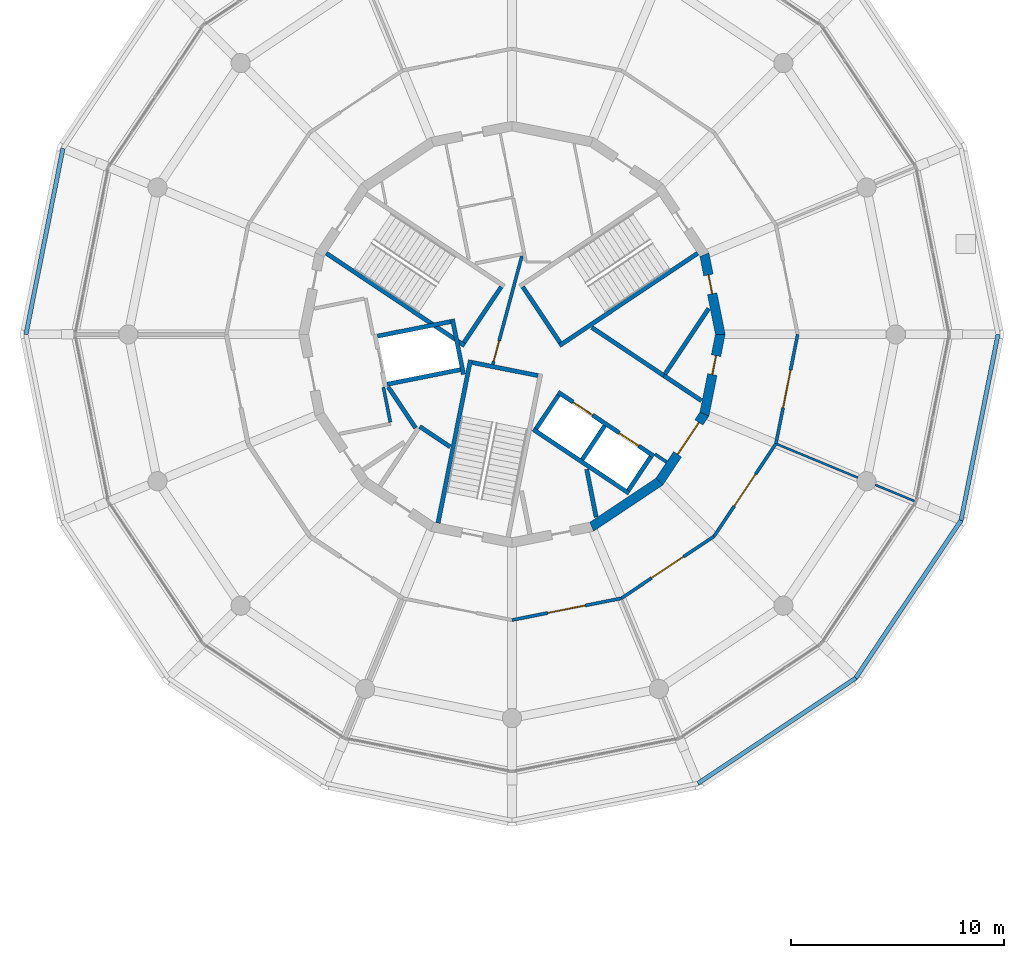
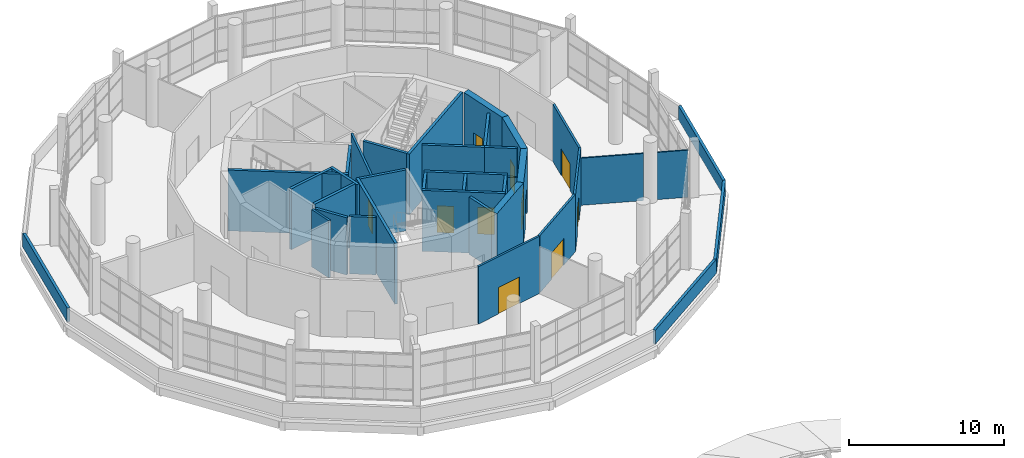
# One storey, part 17 of 21: 37 walls, 10 doors, 10 openings.
"""IFC4 building model written with IfcOpenShell, lengths in metres."""

from ifc_helpers import new_model, si_unit, direction, frame, frame_2d, origin, place, context, subcontext, project, spatial, polyline, rectangle, outline, extrude, material, layer, layer_set, type_object, element, fill, save


model = new_model("IFC4")

# Units and contexts
model_context = context("Model", 3, precision=1e-05, world=origin(), true_north=direction((0.0, 1.0)))
body_context = subcontext(model_context, "Body", "Model", "MODEL_VIEW")
ifc_project = project(units=[si_unit("LENGTHUNIT", "METRE"), si_unit("AREAUNIT", "SQUARE_METRE"), si_unit("VOLUMEUNIT", "CUBIC_METRE"), si_unit("PLANEANGLEUNIT", "RADIAN"), si_unit("MASSUNIT", "GRAM", prefix="KILO")], contexts=[model_context])

# Site, building, storey
site_placement = place(None, origin())
site = spatial("IfcSite", under=ifc_project, at=site_placement, CompositionType="ELEMENT")
building_placement = place(site_placement, origin())
building = spatial("IfcBuilding", under=site, at=building_placement, Name="Ceibo Conservatory and Research Tower", CompositionType="ELEMENT")
storey_placement = place(building_placement, frame((0.0, 0.0, 15.60009765625)))
storey = spatial("IfcBuildingStorey", under=building, at=storey_placement, Name="L03", CompositionType="ELEMENT", Elevation=15.60009765625)

# Wall, opening, door
ifc_material_1 = material(Name="Concrete C35/45", Category="concrete")
ifc_layer_1 = layer(ifc_material_1, 0.449951171875)
ifc_layer_set_1 = layer_set([ifc_layer_1], Name="Concrete C35/45")
wall_type_1 = type_object("IfcWallType", Name="Core wall 450 C35", PredefinedType="SHEAR", material=ifc_layer_set_1)
wall_1_placement = place(storey_placement, frame((57.7705078125, 120.0, 0.0), z_axis=(0.0, 0.0, 1.0), x_axis=(-0.195069197673, 0.98078948206, 0.0)))
wall_1 = element("IfcWall", 1, at=wall_1_placement, inside=storey, type_object=wall_type_1, Name="Core wall L03 01", PredefinedType="SHEAR", context=body_context, shape_type="SweptSolid", body=[
    extrude(outline(polyline([(-0.044677734375, -0.22509765625), (3.85693359375, -0.22509765625), (3.767578125, 0.22509765625), (0.044677734375, 0.22509765625), (-0.044677734375, -0.22509765625)])), origin(), (0.0, 0.0, 1.0), 4.7998046875),
])
opening_1_placement = place(wall_1_placement, frame((1.944580078125, 0.0, 0.0)))
opening_1 = element("IfcOpeningElement", 2, at=opening_1_placement, cuts=wall_1, Name="Opening C03-04", PredefinedType="OPENING", context=body_context, shape_type="SweptSolid", body=[
    extrude(rectangle(XDim=0.89990234375, YDim=2.10009765625, at=frame_2d((0.449951171875, 1.050048828125))), frame((0.0, 0.23486328125, 0.0), z_axis=(0.0, -1.0, 0.0), x_axis=(1.0, 0.0, 0.0)), (0.0, 0.0, 1.0), 0.469970703125),
])
ifc_material_2 = material(Name="Galvanised sheet steel DX51D", Category="steel")
door_type_1 = type_object("IfcDoorType", Name="Riser door 900x2100 EI 60 (right hand)", OperationType="SINGLE_SWING_RIGHT", PredefinedType="DOOR", material=ifc_material_2)
door_1_placement = place(opening_1_placement, origin())
door_1 = element("IfcDoor", 3, at=door_1_placement, inside=storey, type_object=door_type_1, Name="Store door 03", OperationType="SINGLE_SWING_RIGHT", OverallHeight=2.10009765625, OverallWidth=0.89990234375, PredefinedType="DOOR", context=body_context, shape_type="SweptSolid", body=[
    extrude(rectangle(XDim=0.89990234375, YDim=2.10009765625, at=frame_2d((0.449951171875, 1.050048828125))), frame((0.0, 0.02490234375, 0.0), z_axis=(0.0, -1.0, 0.0), x_axis=(1.0, 0.0, 0.0)), (0.0, 0.0, 1.0), 0.050048828125),
])
fill(opening_1, door_1)

# Wall
wall_2_placement = place(storey_placement, frame((51.739013671875, 110.97314453125, 0.0), z_axis=(0.0, 0.0, 1.0), x_axis=(0.83148829117, 0.555542277102, 0.0)))
element("IfcWall", 4, at=wall_2_placement, inside=storey, type_object=wall_type_1, Name="Core wall L03 14", PredefinedType="SHEAR", context=body_context, shape_type="SweptSolid", body=[
    extrude(outline(polyline([(-0.044677734375, -0.22509765625), (3.85693359375, -0.22509765625), (3.767578125, 0.22509765625), (0.044677734375, 0.22509765625), (-0.044677734375, -0.22509765625)])), origin(), (0.0, 0.0, 1.0), 4.7998046875),
])

# Wall, opening, door
wall_3_placement = place(storey_placement, frame((54.908935546875, 113.091064453125, 0.0), z_axis=(0.0, 0.0, 1.0), x_axis=(0.555542277102, 0.83148829117, 0.0)))
wall_3 = element("IfcWall", 5, at=wall_3_placement, inside=storey, type_object=wall_type_1, Name="Core wall L03 15", PredefinedType="SHEAR", context=body_context, shape_type="SweptSolid", body=[
    extrude(outline(polyline([(-0.044677734375, -0.22509765625), (3.85693359375, -0.22509765625), (3.767578125, 0.22509765625), (0.044677734375, 0.22509765625), (-0.044677734375, -0.22509765625)])), origin(), (0.0, 0.0, 1.0), 4.7998046875),
])
opening_2_placement = place(wall_3_placement, frame((1.544677734375, 0.0, 0.0)))
opening_2 = element("IfcOpeningElement", 6, at=opening_2_placement, cuts=wall_3, Name="Opening C03-13", PredefinedType="OPENING", context=body_context, shape_type="SweptSolid", body=[
    extrude(rectangle(XDim=1.800048828125, YDim=2.10009765625, at=frame_2d((0.89990234375, 1.050048828125))), frame((0.0, 0.23486328125, 0.0), z_axis=(0.0, -1.0, 0.0), x_axis=(1.0, 0.0, 0.0)), (0.0, 0.0, 1.0), 0.469970703125),
])
door_type_2 = type_object("IfcDoorType", Name="Lobby double door 1800x2100 EI 60", OperationType="DOUBLE_DOOR_SINGLE_SWING", PredefinedType="DOOR", material=ifc_material_2)
door_2_placement = place(opening_2_placement, frame((1.800048828125, 0.0, 0.0), z_axis=(0.0, 0.0, 1.0), x_axis=(-1.0, 0.0, 0.0)))
door_2 = element("IfcDoor", 7, at=door_2_placement, inside=storey, type_object=door_type_2, Name="Lift Lobby door 03", OperationType="DOUBLE_DOOR_SINGLE_SWING", OverallHeight=2.10009765625, OverallWidth=1.800048828125, PredefinedType="DOOR", context=body_context, shape_type="SweptSolid", body=[
    extrude(rectangle(XDim=1.800048828125, YDim=2.10009765625, at=frame_2d((0.89990234375, 1.050048828125))), frame((0.0, 0.02490234375, 0.0), z_axis=(0.0, -1.0, 0.0), x_axis=(1.0, 0.0, 0.0)), (0.0, 0.0, 1.0), 0.050048828125),
])
fill(opening_2, door_2)

wall_4_placement = place(storey_placement, frame((57.02685546875, 116.260986328125, 0.0), z_axis=(0.0, 0.0, 1.0), x_axis=(0.195069197673, 0.98078948206, 0.0)))
wall_4 = element("IfcWall", 8, at=wall_4_placement, inside=storey, type_object=wall_type_1, Name="Core wall L03 16", PredefinedType="SHEAR", context=body_context, shape_type="SweptSolid", body=[
    extrude(outline(polyline([(-0.044677734375, -0.22509765625), (3.85693359375, -0.22509765625), (3.767578125, 0.22509765625), (0.044677734375, 0.22509765625), (-0.044677734375, -0.22509765625)])), origin(), (0.0, 0.0, 1.0), 4.7998046875),
])
opening_3_placement = place(wall_4_placement, frame((1.894775390625, 0.0, 0.0)))
opening_3 = element("IfcOpeningElement", 9, at=opening_3_placement, cuts=wall_4, Name="Opening C03-05", PredefinedType="OPENING", context=body_context, shape_type="SweptSolid", body=[
    extrude(rectangle(XDim=0.89990234375, YDim=2.10009765625, at=frame_2d((0.449951171875, 1.050048828125))), frame((0.0, 0.23486328125, 0.0), z_axis=(0.0, -1.0, 0.0), x_axis=(1.0, 0.0, 0.0)), (0.0, 0.0, 1.0), 0.469970703125),
])
door_3_placement = place(opening_3_placement, frame((0.89990234375, 0.0, 0.0), z_axis=(0.0, 0.0, 1.0), x_axis=(-1.0, 0.0, 0.0)))
door_3 = element("IfcDoor", 10, at=door_3_placement, inside=storey, type_object=door_type_1, Name="Electrical Riser door 03", OperationType="SINGLE_SWING_RIGHT", OverallHeight=2.10009765625, OverallWidth=0.89990234375, PredefinedType="DOOR", context=body_context, shape_type="SweptSolid", body=[
    extrude(rectangle(XDim=0.89990234375, YDim=2.10009765625, at=frame_2d((0.449951171875, 1.050048828125))), frame((0.0, 0.02490234375, 0.0), z_axis=(0.0, -1.0, 0.0), x_axis=(1.0, 0.0, 0.0)), (0.0, 0.0, 1.0), 0.050048828125),
])
fill(opening_3, door_3)

# Walls
ifc_material_3 = material(Name="Plasterboard on metal studs, fire board")
ifc_layer_2 = layer(ifc_material_3, 0.14990234375)
ifc_layer_set_2 = layer_set([ifc_layer_2], Name="Plasterboard on metal studs, fire board")
wall_type_2 = type_object("IfcWallType", Name="Corridor wall 150 EI 60", PredefinedType="PARTITIONING", material=ifc_layer_set_2)
wall_5_placement = place(storey_placement, frame((42.293701171875, 115.882568359375, 0.0), z_axis=(0.0, 0.0, 1.0), x_axis=(-0.195163043227, 0.980770812452, 0.0)))
element("IfcWall", 11, at=wall_5_placement, inside=storey, type_object=wall_type_2, Name="Core partition 03.P005", PredefinedType="PARTITIONING", context=body_context, shape_type="SweptSolid", body=[
    extrude(rectangle(XDim=1.675048828125, YDim=0.14990234375, at=frame_2d((0.83740234375, 0.0))), origin(), (0.0, 0.0, 1.0), 4.52001953125),
])
wall_6_placement = place(storey_placement, frame((54.7060546875, 114.376708984375, 0.0), z_axis=(0.0, 0.0, 1.0), x_axis=(0.831421626399, -0.555642042286, 0.0)))
element("IfcWall", 12, at=wall_6_placement, inside=storey, type_object=wall_type_2, Name="Core partition 03.P024", PredefinedType="PARTITIONING", context=body_context, shape_type="SweptSolid", body=[
    extrude(rectangle(XDim=0.65771484375, YDim=0.14990234375, at=frame_2d((0.328857421875, 0.0))), origin(), (0.0, 0.0, 1.0), 4.52001953125),
])

# Wall, opening, door
wall_7_placement = place(storey_placement, frame((47.10205078125, 118.595458984375, 0.0), z_axis=(0.0, 0.0, 1.0), x_axis=(0.258814124304, 0.9659271448, 0.0)))
wall_7 = element("IfcWall", 13, at=wall_7_placement, inside=storey, type_object=wall_type_2, Name="Core partition 03.P025", PredefinedType="PARTITIONING", context=body_context, shape_type="SweptSolid", body=[
    extrude(rectangle(XDim=5.2646484375, YDim=0.14990234375, at=frame_2d((2.63232421875, 0.0))), origin(), (0.0, 0.0, 1.0), 4.52001953125),
])
opening_4_placement = place(wall_7_placement, frame((0.14990234375, 0.0, 0.0)))
opening_4 = element("IfcOpeningElement", 14, at=opening_4_placement, cuts=wall_7, Name="Opening C03-17", PredefinedType="OPENING", context=body_context, shape_type="SweptSolid", body=[
    extrude(rectangle(XDim=1.0, YDim=2.10009765625, at=frame_2d((0.5, 1.050048828125))), frame((0.0, 0.0849609375, 0.0), z_axis=(0.0, -1.0, 0.0), x_axis=(1.0, 0.0, 0.0)), (0.0, 0.0, 1.0), 0.169921875),
])
door_type_3 = type_object("IfcDoorType", Name="Lobby door 1000x2100 EI 60 (right hand)", OperationType="SINGLE_SWING_RIGHT", PredefinedType="DOOR", material=ifc_material_2)
door_4_placement = place(opening_4_placement, frame((1.0, 0.0, 0.0), z_axis=(0.0, 0.0, 1.0), x_axis=(-1.0, 0.0, 0.0)))
door_4 = element("IfcDoor", 15, at=door_4_placement, inside=storey, type_object=door_type_3, Name="Door Lift Lobby 03.01", OperationType="SINGLE_SWING_RIGHT", OverallHeight=2.10009765625, OverallWidth=1.0, PredefinedType="DOOR", context=body_context, shape_type="SweptSolid", body=[
    extrude(rectangle(XDim=1.0, YDim=2.10009765625, at=frame_2d((0.5, 1.050048828125))), frame((0.0, 0.02490234375, 0.0), z_axis=(0.0, -1.0, 0.0), x_axis=(1.0, 0.0, 0.0)), (0.0, 0.0, 1.0), 0.050048828125),
])
fill(opening_4, door_4)

wall_8_placement = place(storey_placement, frame((53.1279296875, 107.6201171875, 0.0), z_axis=(0.0, 0.0, 1.0), x_axis=(-0.980784881595, -0.195092326952, 0.0)))
wall_8 = element("IfcWall", 16, at=wall_8_placement, inside=storey, type_object=wall_type_2, Name="Partition 03.013", PredefinedType="PARTITIONING", context=body_context, shape_type="SweptSolid", body=[
    extrude(rectangle(XDim=5.228515625, YDim=0.14990234375, at=frame_2d((2.6142578125, 0.0))), origin(), (0.0, 0.0, 1.0), 4.52001953125),
])
opening_5_placement = place(wall_8_placement, frame((1.71435546875, 0.0, 0.0)))
opening_5 = element("IfcOpeningElement", 17, at=opening_5_placement, cuts=wall_8, Name="Opening T03-08", PredefinedType="OPENING", context=body_context, shape_type="SweptSolid", body=[
    extrude(rectangle(XDim=1.800048828125, YDim=2.10009765625, at=frame_2d((0.89990234375, 1.050048828125))), frame((0.0, 0.0849609375, 0.0), z_axis=(0.0, -1.0, 0.0), x_axis=(1.0, 0.0, 0.0)), (0.0, 0.0, 1.0), 0.169921875),
])
door_type_4 = type_object("IfcDoorType", Name="Door fire double 1800x2100 EI 60", OperationType="DOUBLE_DOOR_SINGLE_SWING", PredefinedType="DOOR", material=ifc_material_2)
door_5_placement = place(opening_5_placement, origin())
door_5 = element("IfcDoor", 18, at=door_5_placement, inside=storey, type_object=door_type_4, Name="Door T03-08", OperationType="DOUBLE_DOOR_SINGLE_SWING", OverallHeight=2.10009765625, OverallWidth=1.800048828125, PredefinedType="DOOR", context=body_context, shape_type="SweptSolid", body=[
    extrude(rectangle(XDim=1.800048828125, YDim=2.10009765625, at=frame_2d((0.89990234375, 1.050048828125))), frame((0.0, 0.02490234375, 0.0), z_axis=(0.0, -1.0, 0.0), x_axis=(1.0, 0.0, 0.0)), (0.0, 0.0, 1.0), 0.050048828125),
])
fill(opening_5, door_5)

wall_9_placement = place(storey_placement, frame((60.3798828125, 114.8720703125, 0.0), z_axis=(0.0, 0.0, 1.0), x_axis=(-0.555583506678, -0.831460742974, 0.0)))
wall_9 = element("IfcWall", 19, at=wall_9_placement, inside=storey, type_object=wall_type_2, Name="Partition 03.014", PredefinedType="PARTITIONING", context=body_context, shape_type="SweptSolid", body=[
    extrude(rectangle(XDim=5.228271484375, YDim=0.14990234375, at=frame_2d((2.6142578125, 0.0))), origin(), (0.0, 0.0, 1.0), 4.52001953125),
])
opening_6_placement = place(wall_9_placement, frame((1.71435546875, 0.0, 0.0)))
opening_6 = element("IfcOpeningElement", 20, at=opening_6_placement, cuts=wall_9, Name="Opening T03-10", PredefinedType="OPENING", context=body_context, shape_type="SweptSolid", body=[
    extrude(rectangle(XDim=1.800048828125, YDim=2.10009765625, at=frame_2d((0.89990234375, 1.050048828125))), frame((0.0, 0.0849609375, 0.0), z_axis=(0.0, -1.0, 0.0), x_axis=(1.0, 0.0, 0.0)), (0.0, 0.0, 1.0), 0.169921875),
])
door_6_placement = place(opening_6_placement, origin())
door_6 = element("IfcDoor", 21, at=door_6_placement, inside=storey, type_object=door_type_4, Name="Door T03-10", OperationType="DOUBLE_DOOR_SINGLE_SWING", OverallHeight=2.10009765625, OverallWidth=1.800048828125, PredefinedType="DOOR", context=body_context, shape_type="SweptSolid", body=[
    extrude(rectangle(XDim=1.800048828125, YDim=2.10009765625, at=frame_2d((0.89990234375, 1.050048828125))), frame((0.0, 0.02490234375, 0.0), z_axis=(0.0, -1.0, 0.0), x_axis=(1.0, 0.0, 0.0)), (0.0, 0.0, 1.0), 0.050048828125),
])
fill(opening_6, door_6)

wall_10_placement = place(storey_placement, frame((57.47509765625, 110.52490234375, 0.0), z_axis=(0.0, 0.0, 1.0), x_axis=(-0.831460742974, -0.555583506678, 0.0)))
wall_10 = element("IfcWall", 22, at=wall_10_placement, inside=storey, type_object=wall_type_2, Name="Partition 03.015", PredefinedType="PARTITIONING", context=body_context, shape_type="SweptSolid", body=[
    extrude(rectangle(XDim=5.228271484375, YDim=0.14990234375, at=frame_2d((2.6142578125, 0.0))), origin(), (0.0, 0.0, 1.0), 4.52001953125),
])
opening_7_placement = place(wall_10_placement, frame((1.71435546875, 0.0, 0.0)))
opening_7 = element("IfcOpeningElement", 23, at=opening_7_placement, cuts=wall_10, Name="Opening T03-09", PredefinedType="OPENING", context=body_context, shape_type="SweptSolid", body=[
    extrude(rectangle(XDim=1.800048828125, YDim=2.10009765625, at=frame_2d((0.89990234375, 1.050048828125))), frame((0.0, 0.0849609375, 0.0), z_axis=(0.0, -1.0, 0.0), x_axis=(1.0, 0.0, 0.0)), (0.0, 0.0, 1.0), 0.169921875),
])
door_7_placement = place(opening_7_placement, origin())
door_7 = element("IfcDoor", 24, at=door_7_placement, inside=storey, type_object=door_type_4, Name="Door T03-09", OperationType="DOUBLE_DOOR_SINGLE_SWING", OverallHeight=2.10009765625, OverallWidth=1.800048828125, PredefinedType="DOOR", context=body_context, shape_type="SweptSolid", body=[
    extrude(rectangle(XDim=1.800048828125, YDim=2.10009765625, at=frame_2d((0.89990234375, 1.050048828125))), frame((0.0, 0.02490234375, 0.0), z_axis=(0.0, -1.0, 0.0), x_axis=(1.0, 0.0, 0.0)), (0.0, 0.0, 1.0), 0.050048828125),
])
fill(opening_7, door_7)

wall_11_placement = place(storey_placement, frame((61.39990234375, 120.0, 0.0), z_axis=(0.0, 0.0, 1.0), x_axis=(-0.195092326952, -0.980784881595, 0.0)))
wall_11 = element("IfcWall", 25, at=wall_11_placement, inside=storey, type_object=wall_type_2, Name="Partition 03.016", PredefinedType="PARTITIONING", context=body_context, shape_type="SweptSolid", body=[
    extrude(rectangle(XDim=5.228515625, YDim=0.14990234375, at=frame_2d((2.6142578125, 0.0))), origin(), (0.0, 0.0, 1.0), 4.52001953125),
])
opening_8_placement = place(wall_11_placement, frame((1.71435546875, 0.0, 0.0)))
opening_8 = element("IfcOpeningElement", 26, at=opening_8_placement, cuts=wall_11, Name="Opening T03-11", PredefinedType="OPENING", context=body_context, shape_type="SweptSolid", body=[
    extrude(rectangle(XDim=1.800048828125, YDim=2.10009765625, at=frame_2d((0.89990234375, 1.050048828125))), frame((0.0, 0.0849609375, 0.0), z_axis=(0.0, -1.0, 0.0), x_axis=(1.0, 0.0, 0.0)), (0.0, 0.0, 1.0), 0.169921875),
])
door_8_placement = place(opening_8_placement, origin())
door_8 = element("IfcDoor", 27, at=door_8_placement, inside=storey, type_object=door_type_4, Name="Door T03-11", OperationType="DOUBLE_DOOR_SINGLE_SWING", OverallHeight=2.10009765625, OverallWidth=1.800048828125, PredefinedType="DOOR", context=body_context, shape_type="SweptSolid", body=[
    extrude(rectangle(XDim=1.800048828125, YDim=2.10009765625, at=frame_2d((0.89990234375, 1.050048828125))), frame((0.0, 0.02490234375, 0.0), z_axis=(0.0, -1.0, 0.0), x_axis=(1.0, 0.0, 0.0)), (0.0, 0.0, 1.0), 0.050048828125),
])
fill(opening_8, door_8)

# Walls
ifc_material_4 = material(Name="Ceramic mosaic tessera")
ifc_layer_3 = layer(ifc_material_4, 0.010009765625, Name="Ceramic mosaic")
ifc_material_5 = material(Name="Concrete C30/37", Category="concrete")
ifc_layer_4 = layer(ifc_material_5, 0.18994140625, Name="Reinforced concrete leaf")
ifc_layer_set_3 = layer_set([ifc_layer_3, ifc_layer_4], Name="Concrete C30/37")
wall_type_3 = type_object("IfcWallType", Name="Parapet wall 200", PredefinedType="PARAPET", material=ifc_layer_set_3)
wall_12_placement = place(storey_placement, frame((26.937255859375, 128.724365234375, 0.0), z_axis=(0.0, 0.0, 1.0), x_axis=(-0.195086798781, -0.980785981212, 0.0)))
element("IfcWall", 28, at=wall_12_placement, inside=storey, type_object=wall_type_3, Name="Parapet L03 8", PredefinedType="PARAPET", context=body_context, shape_type="SweptSolid", body=[
    extrude(outline(polyline([(-0.019775390625, -0.10009765625), (8.9150390625, -0.10009765625), (8.87548828125, 0.10009765625), (0.019775390625, 0.10009765625), (-0.019775390625, -0.10009765625)])), origin(), (0.0, 0.0, 1.0), 1.099853515625),
])
for number, where, z_axis, x_axis, name in (
    (29, (56.724365234375, 98.937255859375, 0.0), (0.0, 0.0, 1.0), (0.831462916075, 0.555580254501, 0.0), "Parapet L03 14"),
    (30, (64.12060546875, 103.87939453125, 0.0), (0.0, 0.0, 1.0), (0.555580254501, 0.831462916075, 0.0), "Parapet L03 15"),
):
    element("IfcWall", number, at=place(storey_placement, frame(where, z_axis=z_axis, x_axis=x_axis)), inside=storey, type_object=wall_type_3, Name=name, PredefinedType="PARAPET", context=body_context, shape_type="SweptSolid", body=[
        extrude(outline(polyline([(-0.019775390625, -0.10009765625), (8.915283203125, -0.10009765625), (8.875732421875, 0.10009765625), (0.019775390625, 0.10009765625), (-0.019775390625, -0.10009765625)])), origin(), (0.0, 0.0, 1.0), 1.099853515625),
    ])
wall_13_placement = place(storey_placement, frame((69.062744140625, 111.275634765625, 0.0), z_axis=(0.0, 0.0, 1.0), x_axis=(0.195086798781, 0.980785981212, 0.0)))
element("IfcWall", 31, at=wall_13_placement, inside=storey, type_object=wall_type_3, Name="Parapet L03 16", PredefinedType="PARAPET", context=body_context, shape_type="SweptSolid", body=[
    extrude(outline(polyline([(-0.019775390625, -0.10009765625), (8.9150390625, -0.10009765625), (8.87548828125, 0.10009765625), (0.019775390625, 0.10009765625), (-0.019775390625, -0.10009765625)])), origin(), (0.0, 0.0, 1.0), 1.099853515625),
])
ifc_material_6 = material(Name="Plasterboard on metal studs")
ifc_layer_5 = layer(ifc_material_6, 0.10009765625)
ifc_layer_set_4 = layer_set([ifc_layer_5], Name="Plasterboard on metal studs")
wall_type_4 = type_object("IfcWallType", Name="Partition 100", PredefinedType="PARTITIONING", material=ifc_layer_set_4)
wall_14_placement = place(storey_placement, frame((60.446044921875, 114.8447265625, 0.0), z_axis=(0.0, 0.0, 1.0), x_axis=(0.92387345726, -0.38269809899, 0.0)))
element("IfcWall", 32, at=wall_14_placement, inside=storey, type_object=wall_type_4, Name="Partition 03.027", PredefinedType="PARTITIONING", context=body_context, shape_type="SweptSolid", body=[
    extrude(rectangle(XDim=4.088623046875, YDim=0.10009765625, at=frame_2d((2.04443359375, 0.0))), origin(), (0.0, 0.0, 1.0), 3.719970703125),
])
wall_15_placement = place(storey_placement, frame((65.036376953125, 112.943359375, 0.0), z_axis=(0.0, 0.0, 1.0), x_axis=(0.923848557909, -0.382758203112, 0.0)))
element("IfcWall", 33, at=wall_15_placement, inside=storey, type_object=wall_type_4, Name="Partition 03.028", PredefinedType="PARTITIONING", context=body_context, shape_type="SweptSolid", body=[
    extrude(rectangle(XDim=1.998291015625, YDim=0.10009765625, at=frame_2d((0.9990234375, 0.0))), origin(), (0.0, 0.0, 1.0), 3.719970703125),
])
ifc_material_7 = material(Name="Masonry blockwork", Category="masonry")
ifc_layer_6 = layer(ifc_material_7, 0.199951171875)
ifc_layer_set_5 = layer_set([ifc_layer_6], Name="Masonry blockwork")
wall_type_5 = type_object("IfcWallType", Name="Riser wall 200 EI 120", PredefinedType="SOLIDWALL", material=ifc_layer_set_5)
wall_16_placement = place(storey_placement, frame((55.1259765625, 118.06494140625, 0.0), z_axis=(0.0, 0.0, 1.0), x_axis=(-0.831495502265, 0.555531483998, 0.0)))
element("IfcWall", 34, at=wall_16_placement, inside=storey, type_object=wall_type_5, Name="Core partition 03.P001", PredefinedType="SOLIDWALL", context=body_context, shape_type="SweptSolid", body=[
    extrude(rectangle(XDim=4.065185546875, YDim=0.199951171875, at=frame_2d((2.03271484375, 0.0))), origin(), (0.0, 0.0, 1.0), 4.52001953125),
])
wall_17_placement = place(storey_placement, frame((57.23095703125, 121.21533203125, 0.0), z_axis=(0.0, 0.0, 1.0), x_axis=(-0.555600969312, -0.831449074147, 0.0)))
element("IfcWall", 35, at=wall_17_placement, inside=storey, type_object=wall_type_5, Name="Core partition 03.P002", PredefinedType="SOLIDWALL", context=body_context, shape_type="SweptSolid", body=[
    extrude(rectangle(XDim=3.68896484375, YDim=0.199951171875, at=frame_2d((1.844482421875, 0.0))), origin(), (0.0, 0.0, 1.0), 4.52001953125),
])
wall_18_placement = place(storey_placement, frame((56.884765625, 116.8896484375, 0.0), z_axis=(0.0, 0.0, 1.0), x_axis=(-0.831446094913, 0.555605427667, 0.0)))
element("IfcWall", 36, at=wall_18_placement, inside=storey, type_object=wall_type_5, Name="Core partition 03.P003", PredefinedType="SOLIDWALL", context=body_context, shape_type="SweptSolid", body=[
    extrude(rectangle(XDim=2.115234375, YDim=0.199951171875, at=frame_2d((1.0576171875, 0.0))), origin(), (0.0, 0.0, 1.0), 4.52001953125),
])
wall_19_placement = place(storey_placement, frame((43.668701171875, 115.677978515625, 0.0), z_axis=(0.0, 0.0, 1.0), x_axis=(0.831439848025, -0.555614775826, 0.0)))
element("IfcWall", 37, at=wall_19_placement, inside=storey, type_object=wall_type_5, Name="Core partition 03.P018", PredefinedType="SOLIDWALL", context=body_context, shape_type="SweptSolid", body=[
    extrude(rectangle(XDim=1.72412109375, YDim=0.199951171875, at=frame_2d((0.862060546875, 0.0))), origin(), (0.0, 0.0, 1.0), 4.52001953125),
])
wall_20_placement = place(storey_placement, frame((42.192138671875, 117.532470703125, 0.0), z_axis=(0.0, 0.0, 1.0), x_axis=(0.555553789041, -0.831480599583, 0.0)))
element("IfcWall", 38, at=wall_20_placement, inside=storey, type_object=wall_type_5, Name="Core partition 03.P020", PredefinedType="SOLIDWALL", context=body_context, shape_type="SweptSolid", body=[
    extrude(rectangle(XDim=2.309326171875, YDim=0.199951171875, at=frame_2d((1.15478515625, 0.0))), origin(), (0.0, 0.0, 1.0), 4.52001953125),
])
wall_21_placement = place(storey_placement, frame((51.502197265625, 113.67041015625, 0.0), z_axis=(0.0, 0.0, 1.0), x_axis=(0.19508928515, -0.980785486648, 0.0)))
element("IfcWall", 39, at=wall_21_placement, inside=storey, type_object=wall_type_5, Name="Core partition 03.P023", PredefinedType="SOLIDWALL", context=body_context, shape_type="SweptSolid", body=[
    extrude(rectangle(XDim=2.286376953125, YDim=0.199951171875, at=frame_2d((1.14306640625, 0.0))), origin(), (0.0, 0.0, 1.0), 4.52001953125),
])

# Wall, openings, doors
ifc_layer_7 = layer(ifc_material_1, 0.199951171875)
ifc_layer_set_6 = layer_set([ifc_layer_7], Name="Concrete C35/45")
wall_type_6 = type_object("IfcWallType", Name="Shaft wall 200 C35", PredefinedType="SHEAR", material=ifc_layer_set_6)
wall_22_placement = place(storey_placement, frame((50.160400390625, 117.29345703125, 0.0), z_axis=(0.0, 0.0, 1.0), x_axis=(0.831479497601, -0.55555543834, 0.0)))
wall_22 = element("IfcWall", 40, at=wall_22_placement, inside=storey, type_object=wall_type_6, Name="Shaft wall LRB.F L03", PredefinedType="SHEAR", context=body_context, shape_type="SweptSolid", body=[
    extrude(rectangle(XDim=5.39990234375, YDim=0.199951171875, at=frame_2d((2.699951171875, 0.0))), origin(), (0.0, 0.0, 1.0), 4.7998046875),
])
opening_9_placement = place(wall_22_placement, frame((0.85009765625, 0.0, 0.0)))
opening_9 = element("IfcOpeningElement", 41, at=opening_9_placement, cuts=wall_22, Name="Opening LD-LP1-03", PredefinedType="OPENING", context=body_context, shape_type="SweptSolid", body=[
    extrude(rectangle(XDim=1.10009765625, YDim=2.10009765625, at=frame_2d((0.550048828125, 1.050048828125))), frame((0.0, 0.10986328125, 0.0), z_axis=(0.0, -1.0, 0.0), x_axis=(1.0, 0.0, 0.0)), (0.0, 0.0, 1.0), 0.219970703125),
])
opening_10_placement = place(wall_22_placement, frame((3.4501953125, 0.0, 0.0)))
opening_10 = element("IfcOpeningElement", 42, at=opening_10_placement, cuts=wall_22, Name="Opening LD-LP2-03", PredefinedType="OPENING", context=body_context, shape_type="SweptSolid", body=[
    extrude(rectangle(XDim=1.10009765625, YDim=2.10009765625, at=frame_2d((0.550048828125, 1.050048828125))), frame((0.0, 0.10986328125, 0.0), z_axis=(0.0, -1.0, 0.0), x_axis=(1.0, 0.0, 0.0)), (0.0, 0.0, 1.0), 0.219970703125),
])
ifc_material_8 = material(Name="Stainless steel AISI 316", Category="steel")
door_type_5 = type_object("IfcDoorType", Name="Lift landing door 1100x2100 EI 120", OperationType="SLIDING_TO_LEFT", PredefinedType="DOOR", material=ifc_material_8)
door_9_placement = place(opening_9_placement, origin())
door_9 = element("IfcDoor", 43, at=door_9_placement, inside=storey, type_object=door_type_5, Name="Lift landing door LP1 03", OperationType="SLIDING_TO_LEFT", OverallHeight=2.10009765625, OverallWidth=1.10009765625, PredefinedType="DOOR", context=body_context, shape_type="SweptSolid", body=[
    extrude(rectangle(XDim=1.10009765625, YDim=2.10009765625, at=frame_2d((0.550048828125, 1.050048828125))), frame((0.0, 0.02490234375, 0.0), z_axis=(0.0, -1.0, 0.0), x_axis=(1.0, 0.0, 0.0)), (0.0, 0.0, 1.0), 0.050048828125),
])
fill(opening_9, door_9)
door_10_placement = place(opening_10_placement, origin())
door_10 = element("IfcDoor", 44, at=door_10_placement, inside=storey, type_object=door_type_5, Name="Lift landing door LP2 03", OperationType="SLIDING_TO_LEFT", OverallHeight=2.10009765625, OverallWidth=1.10009765625, PredefinedType="DOOR", context=body_context, shape_type="SweptSolid", body=[
    extrude(rectangle(XDim=1.10009765625, YDim=2.10009765625, at=frame_2d((0.550048828125, 1.050048828125))), frame((0.0, 0.02490234375, 0.0), z_axis=(0.0, -1.0, 0.0), x_axis=(1.0, 0.0, 0.0)), (0.0, 0.0, 1.0), 0.050048828125),
])
fill(opening_10, door_10)

# Walls
wall_23_placement = place(storey_placement, frame((48.993896484375, 115.547607421875, 0.0), z_axis=(0.0, 0.0, 1.0), x_axis=(0.831444656906, -0.555607579593, 0.0)))
element("IfcWall", 45, at=wall_23_placement, inside=storey, type_object=wall_type_6, Name="Shaft wall LRB.B L03", PredefinedType="SHEAR", context=body_context, shape_type="SweptSolid", body=[
    extrude(rectangle(XDim=5.39990234375, YDim=0.199951171875, at=frame_2d((2.699951171875, 0.0))), origin(), (0.0, 0.0, 1.0), 4.7998046875),
])
wall_24_placement = place(storey_placement, frame((50.18798828125, 117.15478515625, 0.0), z_axis=(0.0, 0.0, 1.0), x_axis=(-0.555559945722, -0.831476485963, 0.0)))
element("IfcWall", 46, at=wall_24_placement, inside=storey, type_object=wall_type_6, Name="Shaft wall LRB.X0 L03", PredefinedType="SHEAR", context=body_context, shape_type="SweptSolid", body=[
    extrude(rectangle(XDim=1.899658203125, YDim=0.199951171875, at=frame_2d((0.94970703125, 0.0))), origin(), (0.0, 0.0, 1.0), 4.7998046875),
])
wall_25_placement = place(storey_placement, frame((52.349853515625, 115.71044921875, 0.0), z_axis=(0.0, 0.0, 1.0), x_axis=(-0.55550058618, -0.831516144614, 0.0)))
element("IfcWall", 47, at=wall_25_placement, inside=storey, type_object=wall_type_6, Name="Shaft wall LRB.X1 L03", PredefinedType="SHEAR", context=body_context, shape_type="SweptSolid", body=[
    extrude(rectangle(XDim=1.89990234375, YDim=0.199951171875, at=frame_2d((0.949951171875, 0.0))), origin(), (0.0, 0.0, 1.0), 4.7998046875),
])
wall_26_placement = place(storey_placement, frame((54.51171875, 114.265869140625, 0.0), z_axis=(0.0, 0.0, 1.0), x_axis=(-0.555589423235, -0.83145678949, 0.0)))
element("IfcWall", 48, at=wall_26_placement, inside=storey, type_object=wall_type_6, Name="Shaft wall LRB.X2 L03", PredefinedType="SHEAR", context=body_context, shape_type="SweptSolid", body=[
    extrude(rectangle(XDim=1.900146484375, YDim=0.199951171875, at=frame_2d((0.9501953125, 0.0))), origin(), (0.0, 0.0, 1.0), 4.7998046875),
])
wall_27_placement = place(storey_placement, frame((45.2060546875, 120.71875, 0.0), z_axis=(0.0, 0.0, 1.0), x_axis=(0.195158270522, -0.980771762158, 0.0)))
element("IfcWall", 49, at=wall_27_placement, inside=storey, type_object=wall_type_6, Name="Shaft wall LG1.B L03", PredefinedType="SHEAR", context=body_context, shape_type="SweptSolid", body=[
    extrude(rectangle(XDim=2.64697265625, YDim=0.199951171875, at=frame_2d((1.323486328125, 0.0))), origin(), (0.0, 0.0, 1.0), 4.7998046875),
])
wall_28_placement = place(storey_placement, frame((45.576171875, 118.345458984375, 0.0), z_axis=(0.0, 0.0, 1.0), x_axis=(-0.980781381237, -0.195109923423, 0.0)))
element("IfcWall", 50, at=wall_28_placement, inside=storey, type_object=wall_type_6, Name="Shaft wall LG1.S1 L03", PredefinedType="SHEAR", context=body_context, shape_type="SweptSolid", body=[
    extrude(rectangle(XDim=3.5, YDim=0.199951171875, at=frame_2d((1.75, 0.0))), origin(), (0.0, 0.0, 1.0), 4.7998046875),
])
wall_29_placement = place(storey_placement, frame((45.12744140625, 120.60107421875, 0.0), z_axis=(0.0, 0.0, 1.0), x_axis=(-0.980794727808, -0.195042820694, 0.0)))
element("IfcWall", 51, at=wall_29_placement, inside=storey, type_object=wall_type_6, Name="Shaft wall LG1.S2 L03", PredefinedType="SHEAR", context=body_context, shape_type="SweptSolid", body=[
    extrude(rectangle(XDim=3.499755859375, YDim=0.199951171875, at=frame_2d((1.75, 0.0))), origin(), (0.0, 0.0, 1.0), 4.7998046875),
])
ifc_layer_8 = layer(ifc_material_1, 0.199951171875)
ifc_layer_set_7 = layer_set([ifc_layer_8], Name="Concrete C35/45")
wall_type_7 = type_object("IfcWallType", Name="Stair wall 200 C35", PredefinedType="SHEAR", material=ifc_layer_set_7)
wall_30_placement = place(storey_placement, frame((50.225830078125, 119.472900390625, 0.0), z_axis=(0.0, 0.0, 1.0), x_axis=(0.831486463828, 0.555545012102, 0.0)))
element("IfcWall", 52, at=wall_30_placement, inside=storey, type_object=wall_type_7, Name="Stair wall ST1.W2 L03", PredefinedType="SHEAR", context=body_context, shape_type="SweptSolid", body=[
    extrude(rectangle(XDim=7.800048828125, YDim=0.199951171875, at=frame_2d((3.89990234375, 0.0))), origin(), (0.0, 0.0, 1.0), 4.7998046875),
])
wall_31_placement = place(storey_placement, frame((50.25341796875, 119.611572265625, 0.0), z_axis=(0.0, 0.0, 1.0), x_axis=(-0.55555842186, 0.831477504146, 0.0)))
element("IfcWall", 53, at=wall_31_placement, inside=storey, type_object=wall_type_7, Name="Stair wall ST1.W3 L03", PredefinedType="SHEAR", context=body_context, shape_type="SweptSolid", body=[
    extrude(rectangle(XDim=3.14990234375, YDim=0.199951171875, at=frame_2d((1.574951171875, 0.0))), origin(), (0.0, 0.0, 1.0), 4.7998046875),
])
wall_32_placement = place(storey_placement, frame((45.774169921875, 119.472900390625, 0.0), z_axis=(0.0, 0.0, 1.0), x_axis=(-0.831486463828, 0.555545012102, 0.0)))
element("IfcWall", 54, at=wall_32_placement, inside=storey, type_object=wall_type_7, Name="Stair wall ST2.W1 L03", PredefinedType="SHEAR", context=body_context, shape_type="SweptSolid", body=[
    extrude(rectangle(XDim=7.800048828125, YDim=0.199951171875, at=frame_2d((3.89990234375, 0.0))), origin(), (0.0, 0.0, 1.0), 4.7998046875),
])
wall_33_placement = place(storey_placement, frame((47.49658203125, 122.230712890625, 0.0), z_axis=(0.0, 0.0, 1.0), x_axis=(-0.55555842186, -0.831477504146, 0.0)))
element("IfcWall", 55, at=wall_33_placement, inside=storey, type_object=wall_type_7, Name="Stair wall ST2.W3 L03", PredefinedType="SHEAR", context=body_context, shape_type="SweptSolid", body=[
    extrude(rectangle(XDim=3.14990234375, YDim=0.199951171875, at=frame_2d((1.574951171875, 0.0))), origin(), (0.0, 0.0, 1.0), 4.7998046875),
])
wall_34_placement = place(storey_placement, frame((46.05322265625, 118.798828125, 0.0), z_axis=(0.0, 0.0, 1.0), x_axis=(-0.195092759861, -0.980784795483, 0.0)))
element("IfcWall", 56, at=wall_34_placement, inside=storey, type_object=wall_type_7, Name="Stair wall ST3.W2 L03", PredefinedType="SHEAR", context=body_context, shape_type="SweptSolid", body=[
    extrude(rectangle(XDim=7.800048828125, YDim=0.199951171875, at=frame_2d((3.89990234375, 0.0))), origin(), (0.0, 0.0, 1.0), 4.7998046875),
])
wall_35_placement = place(storey_placement, frame((46.1318359375, 118.68115234375, 0.0), z_axis=(0.0, 0.0, 1.0), x_axis=(0.980785830564, -0.195087556151, 0.0)))
element("IfcWall", 57, at=wall_35_placement, inside=storey, type_object=wall_type_7, Name="Stair wall ST3.W3 L03", PredefinedType="SHEAR", context=body_context, shape_type="SweptSolid", body=[
    extrude(rectangle(XDim=3.14990234375, YDim=0.199951171875, at=frame_2d((1.574951171875, 0.0))), origin(), (0.0, 0.0, 1.0), 4.7998046875),
])

save(model, "model.ifc")
